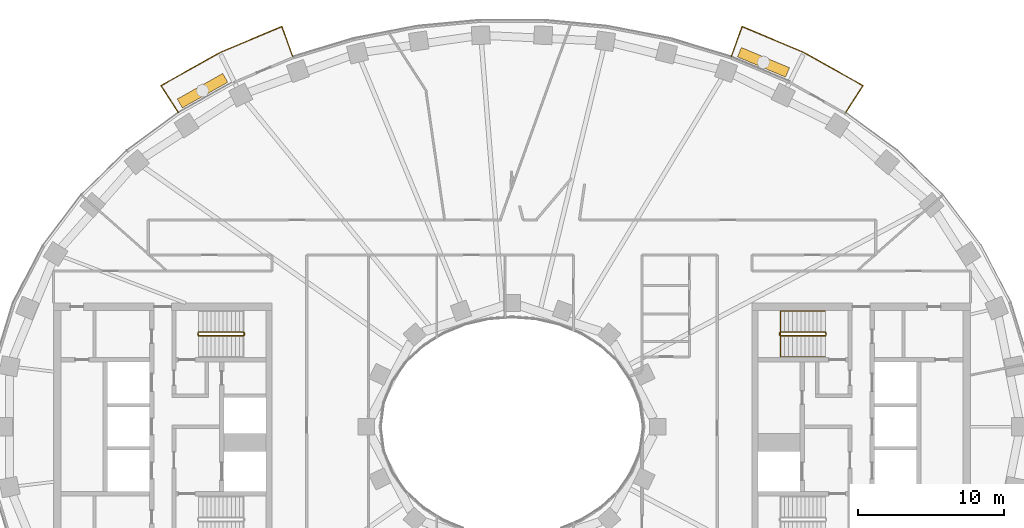
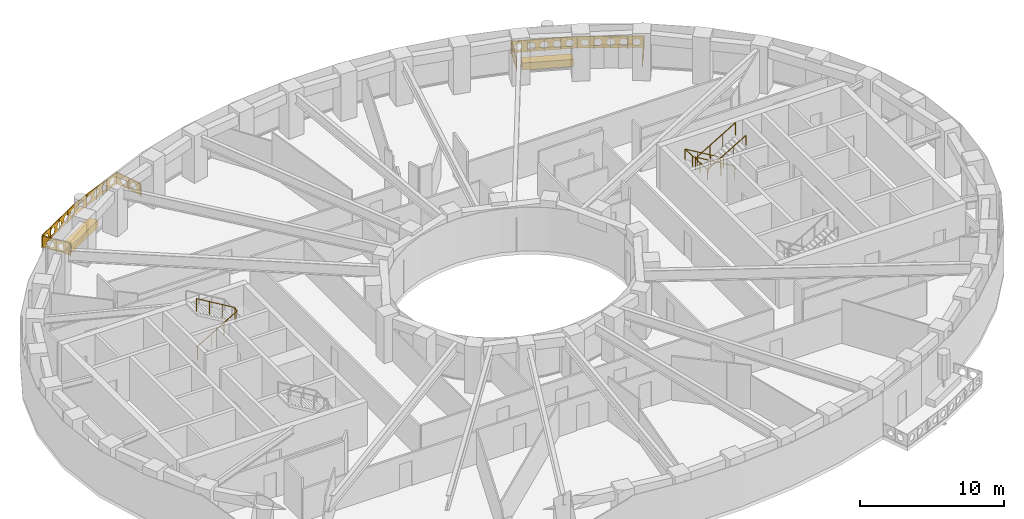
# One storey, part 14 of 15: 5 railings, 2 coverings.
"""IFC4 building model written with IfcOpenShell, lengths in metres."""

from ifc_helpers import new_model, si_unit, direction, frame, origin, origin_2d, place, context, subcontext, project, spatial, polyline, rectangle, outline, extrude, material, type_object, element, save


model = new_model("IFC4")

# Units and contexts
model_context = context("Model", 3, precision=1e-05, world=origin(), true_north=direction((0.0, 1.0)))
body_context = subcontext(model_context, "Body", "Model", "MODEL_VIEW")
ifc_project = project(units=[si_unit("LENGTHUNIT", "METRE"), si_unit("AREAUNIT", "SQUARE_METRE"), si_unit("VOLUMEUNIT", "CUBIC_METRE"), si_unit("PLANEANGLEUNIT", "RADIAN"), si_unit("MASSUNIT", "GRAM", prefix="KILO")], contexts=[model_context])

# Site, building, storey
site_placement = place(None, origin())
site = spatial("IfcSite", under=ifc_project, at=site_placement, CompositionType="ELEMENT")
building_placement = place(site_placement, origin())
building = spatial("IfcBuilding", under=site, at=building_placement, Name="Noorbagh Ring Tower", CompositionType="ELEMENT")
storey_placement = place(building_placement, frame((0.0, 0.0, 128.0)))
storey = spatial("IfcBuildingStorey", under=building, at=storey_placement, Name="L29", CompositionType="ELEMENT", Elevation=128.0)

# Railings
ifc_material_1 = material(Name="Stainless steel", Category="steel")
railing_type_1 = type_object("IfcRailingType", Name="CORE-STAIR-GUARD", PredefinedType="GUARDRAIL", material=ifc_material_1)
railing_1_placement = place(storey_placement, frame((-21.580078125, 6.300048828125, 0.0)))
element("IfcRailing", 1, at=railing_1_placement, inside=storey, type_object=railing_type_1, Name="L29 ST1 stair guard", PredefinedType="GUARDRAIL", context=body_context, shape_type="SweptSolid", body=[
    extrude(rectangle(XDim=0.048095703125, YDim=0.048095703125, at=origin_2d()), frame((0.0, 0.0, 1.076171875), z_axis=(0.0, 1.0, 0.0), x_axis=(-1.0, 0.0, 0.0)), (0.0, 0.0, 1.0), 0.14990234375),
    extrude(rectangle(XDim=0.048095703125, YDim=0.048095703125, at=origin_2d()), frame((0.0, 0.14990234375, 1.076171875), z_axis=(0.188775798145, -0.754182335027, 0.628945707965), x_axis=(0.970072785993, 0.242814311512, 0.0)), (0.0, 0.0, 1.0), 0.26513671875),
    extrude(rectangle(XDim=0.048095703125, YDim=0.048095703125, at=origin_2d()), frame((0.050048828125, -0.050048828125, 1.24267578125), z_axis=(0.859308565015, 0.0, 0.511457515432), x_axis=(0.0, 1.0, 0.0)), (0.0, 0.0, 1.0), 3.58447265625),
    extrude(rectangle(XDim=0.048095703125, YDim=0.048095703125, at=origin_2d()), frame((3.130126953125, -0.050048828125, 3.076171875), z_axis=(0.707106781187, 0.707106781187, 0.0), x_axis=(-0.707106781187, 0.707106781187, 0.0)), (0.0, 0.0, 1.0), 0.07080078125),
    extrude(rectangle(XDim=0.048095703125, YDim=0.048095703125, at=origin_2d()), frame((3.18017578125, 0.0, 3.076171875), z_axis=(0.0, 1.0, 0.0), x_axis=(-1.0, 0.0, 0.0)), (0.0, 0.0, 1.0), 0.14990234375),
    extrude(rectangle(XDim=0.048095703125, YDim=0.048095703125, at=origin_2d()), frame((3.18017578125, 0.14990234375, 3.076171875), z_axis=(-0.27628659633, 0.27628659633, 0.920506074601), x_axis=(-0.707106781187, -0.707106781187, 0.0)), (0.0, 0.0, 1.0), 0.18115234375),
    extrude(rectangle(XDim=0.048095703125, YDim=0.048095703125, at=origin_2d()), frame((3.130126953125, 0.199951171875, 3.24267578125), z_axis=(-0.859308565015, 0.0, 0.511457515432), x_axis=(0.0, -1.0, 0.0)), (0.0, 0.0, 1.0), 3.58447265625),
    extrude(rectangle(XDim=0.0419921875, YDim=0.0419921875, at=origin_2d()), origin(), (0.0, 0.0, 1.0), 1.052001953125),
    extrude(rectangle(XDim=0.0419921875, YDim=0.0419921875, at=origin_2d()), frame((1.07666015625, -0.050048828125, 0.77783203125)), (0.0, 0.0, 1.0), 1.052001953125),
    extrude(rectangle(XDim=0.0419921875, YDim=0.0419921875, at=origin_2d()), frame((2.103515625, -0.050048828125, 1.388916015625)), (0.0, 0.0, 1.0), 1.052001953125),
    extrude(rectangle(XDim=0.0419921875, YDim=0.0419921875, at=origin_2d()), frame((3.130126953125, -0.050048828125, 2.0)), (0.0, 0.0, 1.0), 1.052001953125),
    extrude(rectangle(XDim=0.0419921875, YDim=0.0419921875, at=origin_2d()), frame((3.130126953125, 0.199951171875, 2.166748046875)), (0.0, 0.0, 1.0), 1.052001953125),
    extrude(rectangle(XDim=0.0419921875, YDim=0.0419921875, at=origin_2d()), frame((2.103515625, 0.199951171875, 2.77783203125)), (0.0, 0.0, 1.0), 1.052001953125),
    extrude(rectangle(XDim=0.0419921875, YDim=0.0419921875, at=origin_2d()), frame((1.07666015625, 0.199951171875, 3.388916015625)), (0.0, 0.0, 1.0), 1.052001953125),
    extrude(rectangle(XDim=0.0419921875, YDim=0.0419921875, at=origin_2d()), frame((0.050048828125, 0.199951171875, 4.0)), (0.0, 0.0, 1.0), 1.052001953125),
])
railing_2_placement = place(storey_placement, frame((21.580078125, 6.449951171875, 0.0)))
element("IfcRailing", 2, at=railing_2_placement, inside=storey, type_object=railing_type_1, Name="L29 ST3 stair guard", PredefinedType="GUARDRAIL", context=body_context, shape_type="SweptSolid", body=[
    extrude(rectangle(XDim=0.048095703125, YDim=0.048095703125, at=origin_2d()), frame((0.0, 0.0, 1.076171875), z_axis=(0.0, -1.0, 0.0), x_axis=(1.0, 0.0, 0.0)), (0.0, 0.0, 1.0), 0.14990234375),
    extrude(rectangle(XDim=0.048095703125, YDim=0.048095703125, at=origin_2d()), frame((0.0, -0.14990234375, 1.076171875), z_axis=(-0.188775798145, 0.754182335027, 0.628945707965), x_axis=(-0.970072785993, -0.242814311512, 0.0)), (0.0, 0.0, 1.0), 0.26513671875),
    extrude(rectangle(XDim=0.048095703125, YDim=0.048095703125, at=origin_2d()), frame((-0.050048828125, 0.050048828125, 1.24267578125), z_axis=(-0.859308565015, 0.0, 0.511457515432), x_axis=(0.0, -1.0, 0.0)), (0.0, 0.0, 1.0), 3.58447265625),
    extrude(rectangle(XDim=0.048095703125, YDim=0.048095703125, at=origin_2d()), frame((-3.130126953125, 0.050048828125, 3.076171875), z_axis=(-0.707106781187, -0.707106781187, 0.0), x_axis=(0.707106781187, -0.707106781187, 0.0)), (0.0, 0.0, 1.0), 0.07080078125),
    extrude(rectangle(XDim=0.048095703125, YDim=0.048095703125, at=origin_2d()), frame((-3.18017578125, 0.0, 3.076171875), z_axis=(0.0, -1.0, 0.0), x_axis=(1.0, 0.0, 0.0)), (0.0, 0.0, 1.0), 0.14990234375),
    extrude(rectangle(XDim=0.048095703125, YDim=0.048095703125, at=origin_2d()), frame((-3.18017578125, -0.14990234375, 3.076171875), z_axis=(0.27628659633, -0.27628659633, 0.920506074601), x_axis=(0.707106781187, 0.707106781187, 0.0)), (0.0, 0.0, 1.0), 0.18115234375),
    extrude(rectangle(XDim=0.048095703125, YDim=0.048095703125, at=origin_2d()), frame((-3.130126953125, -0.199951171875, 3.24267578125), z_axis=(0.859308565015, 0.0, 0.511457515432), x_axis=(0.0, 1.0, 0.0)), (0.0, 0.0, 1.0), 3.58447265625),
    extrude(rectangle(XDim=0.0419921875, YDim=0.0419921875, at=origin_2d()), origin(), (0.0, 0.0, 1.0), 1.052001953125),
    extrude(rectangle(XDim=0.0419921875, YDim=0.0419921875, at=origin_2d()), frame((-1.07666015625, 0.050048828125, 0.77783203125)), (0.0, 0.0, 1.0), 1.052001953125),
    extrude(rectangle(XDim=0.0419921875, YDim=0.0419921875, at=origin_2d()), frame((-2.103515625, 0.050048828125, 1.388916015625)), (0.0, 0.0, 1.0), 1.052001953125),
    extrude(rectangle(XDim=0.0419921875, YDim=0.0419921875, at=origin_2d()), frame((-3.130126953125, 0.050048828125, 2.0)), (0.0, 0.0, 1.0), 1.052001953125),
    extrude(rectangle(XDim=0.0419921875, YDim=0.0419921875, at=origin_2d()), frame((-3.130126953125, -0.199951171875, 2.166748046875)), (0.0, 0.0, 1.0), 1.052001953125),
    extrude(rectangle(XDim=0.0419921875, YDim=0.0419921875, at=origin_2d()), frame((-2.103515625, -0.199951171875, 2.77783203125)), (0.0, 0.0, 1.0), 1.052001953125),
    extrude(rectangle(XDim=0.0419921875, YDim=0.0419921875, at=origin_2d()), frame((-1.07666015625, -0.199951171875, 3.388916015625)), (0.0, 0.0, 1.0), 1.052001953125),
    extrude(rectangle(XDim=0.0419921875, YDim=0.0419921875, at=origin_2d()), frame((-0.050048828125, -0.199951171875, 4.0)), (0.0, 0.0, 1.0), 1.052001953125),
])
ifc_material_2 = material(Name="Stainless steel", Category="steel")
railing_type_2 = type_object("IfcRailingType", Name="CORE-STAIR-HANDRAIL", PredefinedType="HANDRAIL", material=ifc_material_2)
railing_3_placement = place(storey_placement, frame((21.530029296875, 7.949951171875, 0.166748046875)))
element("IfcRailing", 3, at=railing_3_placement, inside=storey, type_object=railing_type_2, Name="L29 ST3 stair handrail", PredefinedType="HANDRAIL", context=body_context, shape_type="SweptSolid", body=[
    extrude(rectangle(XDim=0.048095703125, YDim=0.048095703125, at=origin_2d()), frame((0.0, 0.0, 0.8759765625), z_axis=(-0.859308565015, 0.0, 0.511457515432), x_axis=(0.0, -1.0, 0.0)), (0.0, 0.0, 1.0), 3.58447265625),
    extrude(rectangle(XDim=0.048095703125, YDim=0.048095703125, at=origin_2d()), frame((-3.080078125, 0.0, 2.708984375), z_axis=(0.0, -0.998601747152, 0.052863509014), x_axis=(1.0, 0.0, 0.0)), (0.0, 0.0, 1.0), 3.154296875),
    extrude(rectangle(XDim=0.048095703125, YDim=0.048095703125, at=origin_2d()), frame((-3.080078125, -3.14990234375, 2.8759765625), z_axis=(0.859308565015, 0.0, 0.511457515432), x_axis=(0.0, 1.0, 0.0)), (0.0, 0.0, 1.0), 3.58447265625),
    extrude(rectangle(XDim=0.0419921875, YDim=0.0419921875, at=origin_2d()), origin(), (0.0, 0.0, 1.0), 0.851806640625),
    extrude(rectangle(XDim=0.0419921875, YDim=0.0419921875, at=origin_2d()), frame((-1.026611328125, 0.0, 0.611083984375)), (0.0, 0.0, 1.0), 0.851806640625),
    extrude(rectangle(XDim=0.0419921875, YDim=0.0419921875, at=origin_2d()), frame((-2.053466796875, 0.0, 1.22216796875)), (0.0, 0.0, 1.0), 0.851806640625),
    extrude(rectangle(XDim=0.0419921875, YDim=0.0419921875, at=origin_2d()), frame((-3.080078125, 0.0, 1.833251953125)), (0.0, 0.0, 1.0), 0.851806640625),
    extrude(rectangle(XDim=0.0419921875, YDim=0.0419921875, at=origin_2d()), frame((-3.080078125, -1.050048828125, 1.888916015625)), (0.0, 0.0, 1.0), 0.851806640625),
    extrude(rectangle(XDim=0.0419921875, YDim=0.0419921875, at=origin_2d()), frame((-3.080078125, -2.099853515625, 1.9443359375)), (0.0, 0.0, 1.0), 0.851806640625),
    extrude(rectangle(XDim=0.0419921875, YDim=0.0419921875, at=origin_2d()), frame((-3.080078125, -3.14990234375, 2.0)), (0.0, 0.0, 1.0), 0.851806640625),
    extrude(rectangle(XDim=0.0419921875, YDim=0.0419921875, at=origin_2d()), frame((-2.053466796875, -3.14990234375, 2.611083984375)), (0.0, 0.0, 1.0), 0.851806640625),
    extrude(rectangle(XDim=0.0419921875, YDim=0.0419921875, at=origin_2d()), frame((-1.026611328125, -3.14990234375, 3.22216796875)), (0.0, 0.0, 1.0), 0.851806640625),
    extrude(rectangle(XDim=0.0419921875, YDim=0.0419921875, at=origin_2d()), frame((0.0, -3.14990234375, 3.833251953125)), (0.0, 0.0, 1.0), 0.851806640625),
])
ifc_material_3 = material(Name="Steel S275 black powder-coated", Category="steel")
railing_type_3 = type_object("IfcRailingType", Name="ENV-GUARD", PredefinedType="GUARDRAIL", material=ifc_material_3)
railing_4_placement = place(storey_placement, frame((22.9326171875, 21.583740234375, 0.0)))
element("IfcRailing", 4, at=railing_4_placement, inside=storey, type_object=railing_type_3, Name="Balcony guard BN02", PredefinedType="GUARDRAIL", context=body_context, shape_type="SweptSolid", body=[
    extrude(rectangle(XDim=0.048095703125, YDim=0.048095703125, at=origin_2d()), frame((0.0, 0.0, 1.076171875), z_axis=(0.542268136821, 0.840205491406, 0.0), x_axis=(-0.840205491406, 0.542268136821, 0.0)), (0.0, 0.0, 1.0), 2.204345703125),
    extrude(rectangle(XDim=0.048095703125, YDim=0.048095703125, at=origin_2d()), frame((1.1953125, 1.85205078125, 1.076171875), z_axis=(-0.872052247658, 0.489412788303, 0.0), x_axis=(-0.489412788303, -0.872052247658, 0.0)), (0.0, 0.0, 1.0), 4.646240234375),
    extrude(rectangle(XDim=0.048095703125, YDim=0.048095703125, at=origin_2d()), frame((-2.8564453125, 4.1259765625, 1.076171875), z_axis=(-0.921809087722, 0.387644174203, 0.0), x_axis=(-0.387644174203, -0.921809087722, 0.0)), (0.0, 0.0, 1.0), 4.627197265625),
    extrude(rectangle(XDim=0.048095703125, YDim=0.048095703125, at=origin_2d()), frame((-7.121826171875, 5.919677734375, 1.076171875), z_axis=(-0.338350546839, -0.941020141896, 0.0), x_axis=(0.941020141896, -0.338350546839, 0.0)), (0.0, 0.0, 1.0), 2.202880859375),
    extrude(rectangle(XDim=0.0419921875, YDim=0.0419921875, at=origin_2d()), origin(), (0.0, 0.0, 1.0), 1.052001953125),
    extrude(rectangle(XDim=0.0419921875, YDim=0.0419921875, at=origin_2d()), frame((0.59765625, 0.926025390625, 0.0)), (0.0, 0.0, 1.0), 1.052001953125),
    extrude(rectangle(XDim=0.0419921875, YDim=0.0419921875, at=origin_2d()), frame((1.1953125, 1.85205078125, 0.0)), (0.0, 0.0, 1.0), 1.052001953125),
    extrude(rectangle(XDim=0.0419921875, YDim=0.0419921875, at=origin_2d()), frame((0.182373046875, 2.42041015625, 0.0)), (0.0, 0.0, 1.0), 1.052001953125),
    extrude(rectangle(XDim=0.0419921875, YDim=0.0419921875, at=origin_2d()), frame((-0.83056640625, 2.989013671875, 0.0)), (0.0, 0.0, 1.0), 1.052001953125),
    extrude(rectangle(XDim=0.0419921875, YDim=0.0419921875, at=origin_2d()), frame((-1.843505859375, 3.5576171875, 0.0)), (0.0, 0.0, 1.0), 1.052001953125),
    extrude(rectangle(XDim=0.0419921875, YDim=0.0419921875, at=origin_2d()), frame((-2.8564453125, 4.1259765625, 0.0)), (0.0, 0.0, 1.0), 1.052001953125),
    extrude(rectangle(XDim=0.0419921875, YDim=0.0419921875, at=origin_2d()), frame((-3.9228515625, 4.574462890625, 0.0)), (0.0, 0.0, 1.0), 1.052001953125),
    extrude(rectangle(XDim=0.0419921875, YDim=0.0419921875, at=origin_2d()), frame((-4.9892578125, 5.02294921875, 0.0)), (0.0, 0.0, 1.0), 1.052001953125),
    extrude(rectangle(XDim=0.0419921875, YDim=0.0419921875, at=origin_2d()), frame((-6.055419921875, 5.47119140625, 0.0)), (0.0, 0.0, 1.0), 1.052001953125),
    extrude(rectangle(XDim=0.0419921875, YDim=0.0419921875, at=origin_2d()), frame((-7.121826171875, 5.919677734375, 0.0)), (0.0, 0.0, 1.0), 1.052001953125),
    extrude(rectangle(XDim=0.0419921875, YDim=0.0419921875, at=origin_2d()), frame((-7.49462890625, 4.88330078125, 0.0)), (0.0, 0.0, 1.0), 1.052001953125),
    extrude(rectangle(XDim=0.0419921875, YDim=0.0419921875, at=origin_2d()), frame((-7.8671875, 3.8466796875, 0.0)), (0.0, 0.0, 1.0), 1.052001953125),
    extrude(outline(polyline([(0.0, 0.10009765625), (2.204345703125, 0.10009765625), (2.204345703125, 1.031982421875), (0.0, 1.031982421875), (0.0, 0.10009765625)]), holes=[polyline([(0.962158203125, 0.56591796875), (0.80712890625, 0.83447265625), (0.4970703125, 0.83447265625), (0.342041015625, 0.56591796875), (0.4970703125, 0.297607421875), (0.80712890625, 0.297607421875), (0.962158203125, 0.56591796875)]), polyline([(1.862060546875, 0.56591796875), (1.70703125, 0.83447265625), (1.397216796875, 0.83447265625), (1.2421875, 0.56591796875), (1.397216796875, 0.297607421875), (1.70703125, 0.297607421875), (1.862060546875, 0.56591796875)])]), frame((-0.00830078125, 0.00537109375, 0.0), z_axis=(0.840205491406, -0.542268136821, 0.0), x_axis=(0.542268136821, 0.840205491406, 0.0)), (0.0, 0.0, 1.0), 0.02001953125),
    extrude(outline(polyline([(0.0, 0.10009765625), (4.646240234375, 0.10009765625), (4.646240234375, 1.031982421875), (0.0, 1.031982421875), (0.0, 0.10009765625)]), holes=[polyline([(0.8330078125, 0.56591796875), (0.67822265625, 0.83447265625), (0.3681640625, 0.83447265625), (0.213134765625, 0.56591796875), (0.3681640625, 0.297607421875), (0.67822265625, 0.297607421875), (0.8330078125, 0.56591796875)]), polyline([(1.733154296875, 0.56591796875), (1.578125, 0.83447265625), (1.26806640625, 0.83447265625), (1.113037109375, 0.56591796875), (1.26806640625, 0.297607421875), (1.578125, 0.297607421875), (1.733154296875, 0.56591796875)]), polyline([(2.633056640625, 0.56591796875), (2.47802734375, 0.83447265625), (2.168212890625, 0.83447265625), (2.01318359375, 0.56591796875), (2.168212890625, 0.297607421875), (2.47802734375, 0.297607421875), (2.633056640625, 0.56591796875)]), polyline([(3.533203125, 0.56591796875), (3.378173828125, 0.83447265625), (3.068115234375, 0.83447265625), (2.9130859375, 0.56591796875), (3.068115234375, 0.297607421875), (3.378173828125, 0.297607421875), (3.533203125, 0.56591796875)]), polyline([(4.43310546875, 0.56591796875), (4.278076171875, 0.83447265625), (3.968017578125, 0.83447265625), (3.813232421875, 0.56591796875), (3.968017578125, 0.297607421875), (4.278076171875, 0.297607421875), (4.43310546875, 0.56591796875)])]), frame((1.1904296875, 1.84326171875, 0.0), z_axis=(0.489412788303, 0.872052247658, 0.0), x_axis=(-0.872052247658, 0.489412788303, 0.0)), (0.0, 0.0, 1.0), 0.02001953125),
    extrude(outline(polyline([(0.0, 0.10009765625), (4.627197265625, 0.10009765625), (4.627197265625, 1.031982421875), (0.0, 1.031982421875), (0.0, 0.10009765625)]), holes=[polyline([(0.823486328125, 0.56591796875), (0.668701171875, 0.83447265625), (0.358642578125, 0.83447265625), (0.20361328125, 0.56591796875), (0.358642578125, 0.297607421875), (0.668701171875, 0.297607421875), (0.823486328125, 0.56591796875)]), polyline([(1.7236328125, 0.56591796875), (1.568603515625, 0.83447265625), (1.258544921875, 0.83447265625), (1.103515625, 0.56591796875), (1.258544921875, 0.297607421875), (1.568603515625, 0.297607421875), (1.7236328125, 0.56591796875)]), polyline([(2.62353515625, 0.56591796875), (2.468505859375, 0.83447265625), (2.15869140625, 0.83447265625), (2.003662109375, 0.56591796875), (2.15869140625, 0.297607421875), (2.468505859375, 0.297607421875), (2.62353515625, 0.56591796875)]), polyline([(3.523681640625, 0.56591796875), (3.36865234375, 0.83447265625), (3.05859375, 0.83447265625), (2.903564453125, 0.56591796875), (3.05859375, 0.297607421875), (3.36865234375, 0.297607421875), (3.523681640625, 0.56591796875)]), polyline([(4.423583984375, 0.56591796875), (4.2685546875, 0.83447265625), (3.95849609375, 0.83447265625), (3.8037109375, 0.56591796875), (3.95849609375, 0.297607421875), (4.2685546875, 0.297607421875), (4.423583984375, 0.56591796875)])]), frame((-2.8603515625, 4.11669921875, 0.0), z_axis=(0.387644174203, 0.921809087722, 0.0), x_axis=(-0.921809087722, 0.387644174203, 0.0)), (0.0, 0.0, 1.0), 0.02001953125),
    extrude(outline(polyline([(0.0, 0.10009765625), (2.202880859375, 0.10009765625), (2.202880859375, 1.031982421875), (0.0, 1.031982421875), (0.0, 0.10009765625)]), holes=[polyline([(0.96142578125, 0.56591796875), (0.806396484375, 0.83447265625), (0.49658203125, 0.83447265625), (0.341552734375, 0.56591796875), (0.49658203125, 0.297607421875), (0.806396484375, 0.297607421875), (0.96142578125, 0.56591796875)]), polyline([(1.861572265625, 0.56591796875), (1.70654296875, 0.83447265625), (1.396484375, 0.83447265625), (1.241455078125, 0.56591796875), (1.396484375, 0.297607421875), (1.70654296875, 0.297607421875), (1.861572265625, 0.56591796875)])]), frame((-7.1123046875, 5.916259765625, 0.0), z_axis=(-0.941020141896, 0.338350546839, 0.0), x_axis=(-0.338350546839, -0.941020141896, 0.0)), (0.0, 0.0, 1.0), 0.02001953125),
])
railing_5_placement = place(storey_placement, frame((-15.0654296875, 25.430419921875, 0.0)))
element("IfcRailing", 5, at=railing_5_placement, inside=storey, type_object=railing_type_3, Name="Balcony guard BN05", PredefinedType="GUARDRAIL", context=body_context, shape_type="SweptSolid", body=[
    extrude(rectangle(XDim=0.048095703125, YDim=0.048095703125, at=origin_2d()), frame((0.0, 0.0, 1.076171875), z_axis=(-0.338350546839, 0.941020141896, 0.0), x_axis=(-0.941020141896, -0.338350546839, 0.0)), (0.0, 0.0, 1.0), 2.202880859375),
    extrude(rectangle(XDim=0.048095703125, YDim=0.048095703125, at=origin_2d()), frame((-0.745361328125, 2.072998046875, 1.076171875), z_axis=(-0.921809087722, -0.387644174203, 0.0), x_axis=(0.387644174203, -0.921809087722, 0.0)), (0.0, 0.0, 1.0), 4.627197265625),
    extrude(rectangle(XDim=0.048095703125, YDim=0.048095703125, at=origin_2d()), frame((-5.0107421875, 0.279296875, 1.076171875), z_axis=(-0.872052247658, -0.489412788303, 0.0), x_axis=(0.489412788303, -0.872052247658, 0.0)), (0.0, 0.0, 1.0), 4.646240234375),
    extrude(rectangle(XDim=0.048095703125, YDim=0.048095703125, at=origin_2d()), frame((-9.0625, -1.99462890625, 1.076171875), z_axis=(0.542268136821, -0.840205491406, 0.0), x_axis=(0.840205491406, 0.542268136821, 0.0)), (0.0, 0.0, 1.0), 2.204345703125),
    extrude(rectangle(XDim=0.0419921875, YDim=0.0419921875, at=origin_2d()), origin(), (0.0, 0.0, 1.0), 1.052001953125),
    extrude(rectangle(XDim=0.0419921875, YDim=0.0419921875, at=origin_2d()), frame((-0.37255859375, 1.03662109375, 0.0)), (0.0, 0.0, 1.0), 1.052001953125),
    extrude(rectangle(XDim=0.0419921875, YDim=0.0419921875, at=origin_2d()), frame((-0.745361328125, 2.072998046875, 0.0)), (0.0, 0.0, 1.0), 1.052001953125),
    extrude(rectangle(XDim=0.0419921875, YDim=0.0419921875, at=origin_2d()), frame((-1.811767578125, 1.62451171875, 0.0)), (0.0, 0.0, 1.0), 1.052001953125),
    extrude(rectangle(XDim=0.0419921875, YDim=0.0419921875, at=origin_2d()), frame((-2.8779296875, 1.17626953125, 0.0)), (0.0, 0.0, 1.0), 1.052001953125),
    extrude(rectangle(XDim=0.0419921875, YDim=0.0419921875, at=origin_2d()), frame((-3.9443359375, 0.727783203125, 0.0)), (0.0, 0.0, 1.0), 1.052001953125),
    extrude(rectangle(XDim=0.0419921875, YDim=0.0419921875, at=origin_2d()), frame((-5.0107421875, 0.279296875, 0.0)), (0.0, 0.0, 1.0), 1.052001953125),
    extrude(rectangle(XDim=0.0419921875, YDim=0.0419921875, at=origin_2d()), frame((-6.023681640625, -0.2890625, 0.0)), (0.0, 0.0, 1.0), 1.052001953125),
    extrude(rectangle(XDim=0.0419921875, YDim=0.0419921875, at=origin_2d()), frame((-7.03662109375, -0.857666015625, 0.0)), (0.0, 0.0, 1.0), 1.052001953125),
    extrude(rectangle(XDim=0.0419921875, YDim=0.0419921875, at=origin_2d()), frame((-8.049560546875, -1.42626953125, 0.0)), (0.0, 0.0, 1.0), 1.052001953125),
    extrude(rectangle(XDim=0.0419921875, YDim=0.0419921875, at=origin_2d()), frame((-9.0625, -1.99462890625, 0.0)), (0.0, 0.0, 1.0), 1.052001953125),
    extrude(rectangle(XDim=0.0419921875, YDim=0.0419921875, at=origin_2d()), frame((-8.46484375, -2.920654296875, 0.0)), (0.0, 0.0, 1.0), 1.052001953125),
    extrude(rectangle(XDim=0.0419921875, YDim=0.0419921875, at=origin_2d()), frame((-7.8671875, -3.8466796875, 0.0)), (0.0, 0.0, 1.0), 1.052001953125),
    extrude(outline(polyline([(0.0, 0.10009765625), (2.202880859375, 0.10009765625), (2.202880859375, 1.031982421875), (0.0, 1.031982421875), (0.0, 0.10009765625)]), holes=[polyline([(0.96142578125, 0.56591796875), (0.806396484375, 0.83447265625), (0.49658203125, 0.83447265625), (0.341552734375, 0.56591796875), (0.49658203125, 0.297607421875), (0.806396484375, 0.297607421875), (0.96142578125, 0.56591796875)]), polyline([(1.861572265625, 0.56591796875), (1.70654296875, 0.83447265625), (1.396484375, 0.83447265625), (1.241455078125, 0.56591796875), (1.396484375, 0.297607421875), (1.70654296875, 0.297607421875), (1.861572265625, 0.56591796875)])]), frame((-0.009521484375, -0.00341796875, 0.0), z_axis=(0.941020141896, 0.338350546839, 0.0), x_axis=(-0.338350546839, 0.941020141896, 0.0)), (0.0, 0.0, 1.0), 0.02001953125),
    extrude(outline(polyline([(0.0, 0.10009765625), (4.627197265625, 0.10009765625), (4.627197265625, 1.031982421875), (0.0, 1.031982421875), (0.0, 0.10009765625)]), holes=[polyline([(0.823486328125, 0.56591796875), (0.668701171875, 0.83447265625), (0.358642578125, 0.83447265625), (0.20361328125, 0.56591796875), (0.358642578125, 0.297607421875), (0.668701171875, 0.297607421875), (0.823486328125, 0.56591796875)]), polyline([(1.7236328125, 0.56591796875), (1.568603515625, 0.83447265625), (1.258544921875, 0.83447265625), (1.103515625, 0.56591796875), (1.258544921875, 0.297607421875), (1.568603515625, 0.297607421875), (1.7236328125, 0.56591796875)]), polyline([(2.62353515625, 0.56591796875), (2.468505859375, 0.83447265625), (2.15869140625, 0.83447265625), (2.003662109375, 0.56591796875), (2.15869140625, 0.297607421875), (2.468505859375, 0.297607421875), (2.62353515625, 0.56591796875)]), polyline([(3.523681640625, 0.56591796875), (3.36865234375, 0.83447265625), (3.05859375, 0.83447265625), (2.903564453125, 0.56591796875), (3.05859375, 0.297607421875), (3.36865234375, 0.297607421875), (3.523681640625, 0.56591796875)]), polyline([(4.423583984375, 0.56591796875), (4.2685546875, 0.83447265625), (3.95849609375, 0.83447265625), (3.8037109375, 0.56591796875), (3.95849609375, 0.297607421875), (4.2685546875, 0.297607421875), (4.423583984375, 0.56591796875)])]), frame((-0.741455078125, 2.063720703125, 0.0), z_axis=(-0.387644174203, 0.921809087722, 0.0), x_axis=(-0.921809087722, -0.387644174203, 0.0)), (0.0, 0.0, 1.0), 0.02001953125),
    extrude(outline(polyline([(0.0, 0.10009765625), (4.646240234375, 0.10009765625), (4.646240234375, 1.031982421875), (0.0, 1.031982421875), (0.0, 0.10009765625)]), holes=[polyline([(0.8330078125, 0.56591796875), (0.67822265625, 0.83447265625), (0.3681640625, 0.83447265625), (0.213134765625, 0.56591796875), (0.3681640625, 0.297607421875), (0.67822265625, 0.297607421875), (0.8330078125, 0.56591796875)]), polyline([(1.733154296875, 0.56591796875), (1.578125, 0.83447265625), (1.26806640625, 0.83447265625), (1.113037109375, 0.56591796875), (1.26806640625, 0.297607421875), (1.578125, 0.297607421875), (1.733154296875, 0.56591796875)]), polyline([(2.633056640625, 0.56591796875), (2.47802734375, 0.83447265625), (2.168212890625, 0.83447265625), (2.01318359375, 0.56591796875), (2.168212890625, 0.297607421875), (2.47802734375, 0.297607421875), (2.633056640625, 0.56591796875)]), polyline([(3.533203125, 0.56591796875), (3.378173828125, 0.83447265625), (3.068115234375, 0.83447265625), (2.9130859375, 0.56591796875), (3.068115234375, 0.297607421875), (3.378173828125, 0.297607421875), (3.533203125, 0.56591796875)]), polyline([(4.43310546875, 0.56591796875), (4.278076171875, 0.83447265625), (3.968017578125, 0.83447265625), (3.813232421875, 0.56591796875), (3.968017578125, 0.297607421875), (4.278076171875, 0.297607421875), (4.43310546875, 0.56591796875)])]), frame((-5.005859375, 0.2705078125, 0.0), z_axis=(-0.489412788303, 0.872052247658, 0.0), x_axis=(-0.872052247658, -0.489412788303, 0.0)), (0.0, 0.0, 1.0), 0.02001953125),
    extrude(outline(polyline([(0.0, 0.10009765625), (2.204345703125, 0.10009765625), (2.204345703125, 1.031982421875), (0.0, 1.031982421875), (0.0, 0.10009765625)]), holes=[polyline([(0.962158203125, 0.56591796875), (0.80712890625, 0.83447265625), (0.4970703125, 0.83447265625), (0.342041015625, 0.56591796875), (0.4970703125, 0.297607421875), (0.80712890625, 0.297607421875), (0.962158203125, 0.56591796875)]), polyline([(1.862060546875, 0.56591796875), (1.70703125, 0.83447265625), (1.397216796875, 0.83447265625), (1.2421875, 0.56591796875), (1.397216796875, 0.297607421875), (1.70703125, 0.297607421875), (1.862060546875, 0.56591796875)])]), frame((-9.05419921875, -1.9892578125, 0.0), z_axis=(-0.840205491406, -0.542268136821, 0.0), x_axis=(0.542268136821, -0.840205491406, 0.0)), (0.0, 0.0, 1.0), 0.02001953125),
])

# Coverings
ifc_material_4 = material(Name="Concrete C30/37 planter with soil", Category="concrete")
covering_type = type_object("IfcCoveringType", Name="ENV-PLANTER", PredefinedType="CLADDING", material=ifc_material_4)
covering_1_placement = place(storey_placement, frame((17.280517578125, 25.041259765625, 0.0), z_axis=(0.0, 0.0, 1.0), x_axis=(-0.921811566494, 0.387638279686, 0.0)))
element("IfcCovering", 6, at=covering_1_placement, inside=storey, type_object=covering_type, Name="PLANTER BN02", ObjectType="PLANTER", PredefinedType="CLADDING", context=body_context, shape_type="SweptSolid", body=[
    extrude(rectangle(XDim=3.5859375, YDim=0.699951171875, at=origin_2d()), origin(), (0.0, 0.0, 1.0), 0.60009765625),
])
covering_2_placement = place(storey_placement, frame((-21.26513671875, 23.093017578125, 0.0), z_axis=(0.0, 0.0, 1.0), x_axis=(-0.872044586249, -0.48942643941, 0.0)))
element("IfcCovering", 7, at=covering_2_placement, inside=storey, type_object=covering_type, Name="PLANTER BN05", ObjectType="PLANTER", PredefinedType="CLADDING", context=body_context, shape_type="SweptSolid", body=[
    extrude(rectangle(XDim=3.58544921875, YDim=0.699951171875, at=origin_2d()), origin(), (0.0, 0.0, 1.0), 0.60009765625),
])

save(model, "model.ifc")
